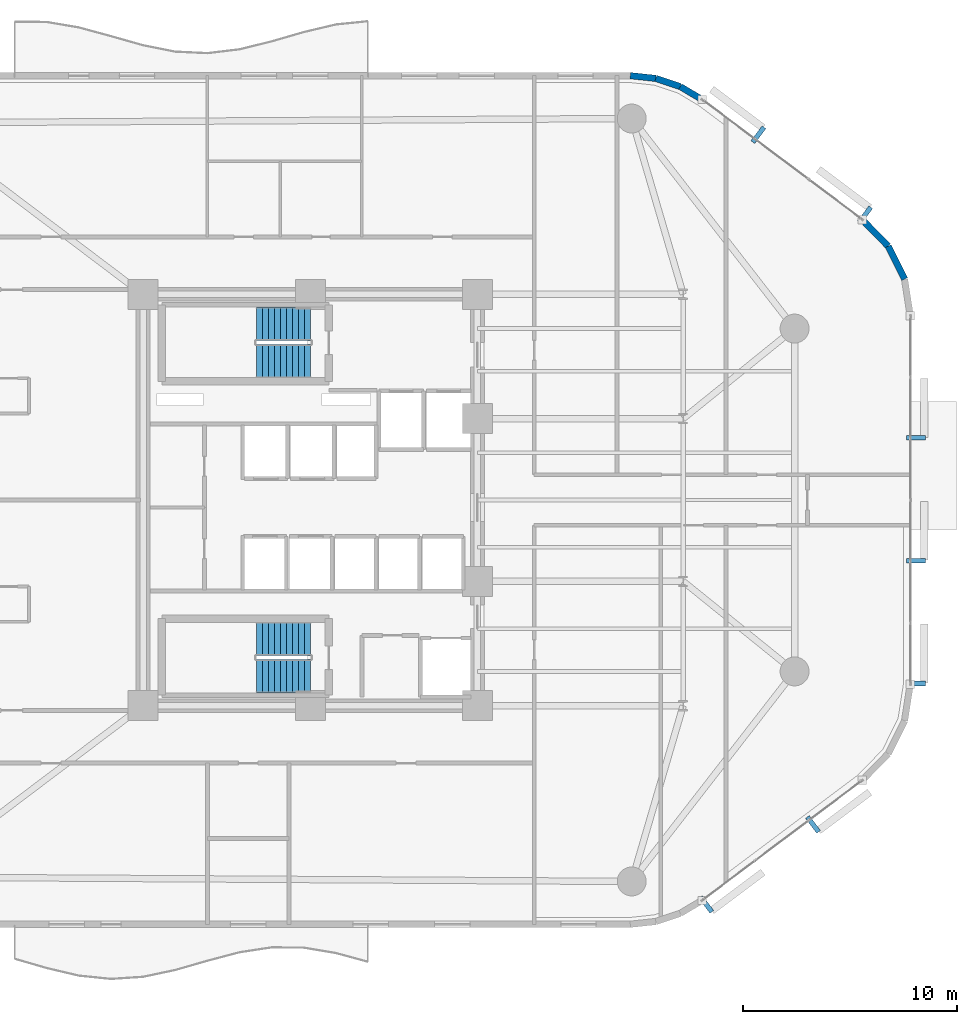
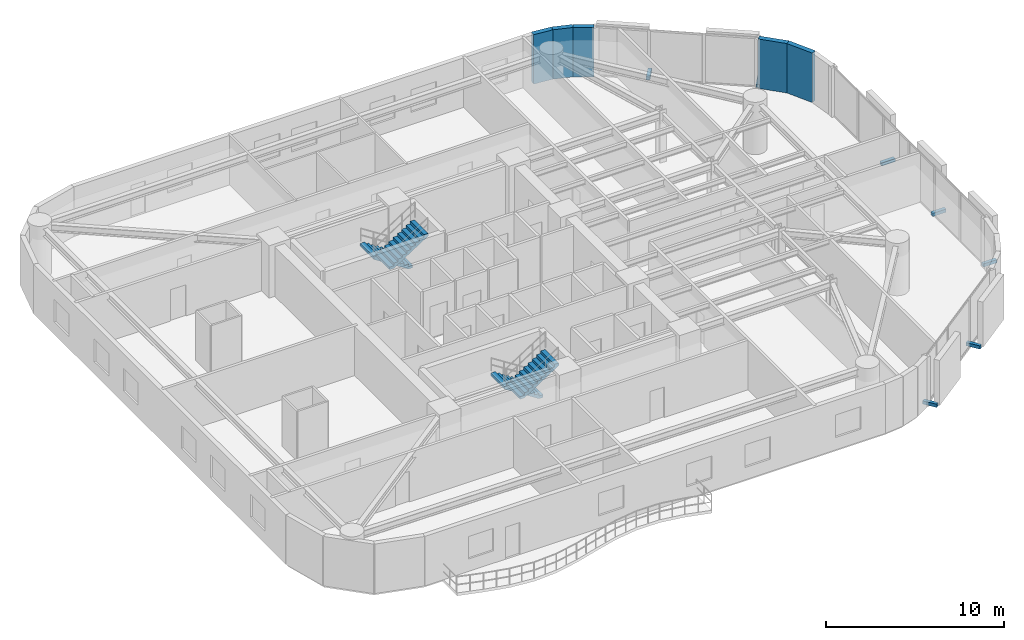
# One storey, part 13 of 16: 7 discrete accessories, 5 walls, 4 stair flights, 2 elements without a shape of their own.
"""IFC4 building model written with IfcOpenShell, lengths in metres."""

from ifc_helpers import new_model, si_unit, direction, frame, frame_2d, origin, origin_2d, place, context, subcontext, project, spatial, polyline, rectangle, outline, extrude, material, layer, layer_set, type_object, element, aggregate, save


model = new_model("IFC4")

# Units and contexts
model_context = context("Model", 3, precision=1e-05, world=origin(), true_north=direction((0.0, 1.0)))
body_context = subcontext(model_context, "Body", "Model", "MODEL_VIEW")
ifc_project = project(units=[si_unit("LENGTHUNIT", "METRE"), si_unit("AREAUNIT", "SQUARE_METRE"), si_unit("VOLUMEUNIT", "CUBIC_METRE"), si_unit("PLANEANGLEUNIT", "RADIAN"), si_unit("MASSUNIT", "GRAM", prefix="KILO")], contexts=[model_context])

# Site, building, storey
site_placement = place(None, origin())
site = spatial("IfcSite", under=ifc_project, at=site_placement, CompositionType="ELEMENT")
building_placement = place(site_placement, origin())
building = spatial("IfcBuilding", under=site, at=building_placement, Name="An Khanh Terracotta Commons", CompositionType="ELEMENT")
storey_placement = place(building_placement, frame((0.0, 0.0, 118.699951171875)))
storey = spatial("IfcBuildingStorey", under=building, at=storey_placement, Name="L31", CompositionType="ELEMENT", Elevation=118.699951171875)

# Walls
ifc_material_1 = material(Name="Precast concrete C40/50", Category="concrete")
ifc_layer = layer(ifc_material_1, 0.300048828125, Name="Precast concrete C40/50")
ifc_layer_set = layer_set([ifc_layer], Name="Precast concrete C40/50")
wall_type = type_object("IfcWallType", Name="WALL-EXT-300", PredefinedType="SOLIDWALL", material=ifc_layer_set)
for number, where, z_axis, x_axis, name in (
    (1, (57.135009765625, 34.303955078125, 0.0), (0.0, 0.0, 1.0), (-0.4472135955, 0.894427191, 0.0), "L31 Insulated Terracotta Exterior Wall 14"),
    (2, (56.364013671875, 35.845947265625, 0.0), (0.0, 0.0, 1.0), (-0.6983450845, 0.715761233201, 0.0), "L31 Insulated Terracotta Exterior Wall 15"),
):
    element("IfcWall", number, at=place(storey_placement, frame(where, z_axis=z_axis, x_axis=x_axis)), inside=storey, type_object=wall_type, Name=name, PredefinedType="SOLIDWALL", context=body_context, shape_type="SweptSolid", body=[
        extrude(rectangle(XDim=1.72412109375, YDim=0.300048828125, at=frame_2d((0.862060546875, 0.0))), origin(), (0.0, 0.0, 1.0), 3.400146484375),
    ])
wall_1_placement = place(storey_placement, frame((47.693115234375, 42.679931640625, 0.0), z_axis=(0.0, 0.0, 1.0), x_axis=(-0.859320591642, 0.511437308749, 0.0)))
element("IfcWall", 3, at=wall_1_placement, inside=storey, type_object=wall_type, Name="L31 Insulated Terracotta Exterior Wall 17", PredefinedType="SOLIDWALL", context=body_context, shape_type="SweptSolid", body=[
    extrude(rectangle(XDim=1.19873046875, YDim=0.300048828125, at=frame_2d((0.599365234375, 0.0))), origin(), (0.0, 0.0, 1.0), 3.400146484375),
])
wall_2_placement = place(storey_placement, frame((46.6630859375, 43.29296875, 0.0), z_axis=(0.0, 0.0, 1.0), x_axis=(-0.948744332129, 0.316044604847, 0.0)))
element("IfcWall", 4, at=wall_2_placement, inside=storey, type_object=wall_type, Name="L31 Insulated Terracotta Exterior Wall 18", PredefinedType="SOLIDWALL", context=body_context, shape_type="SweptSolid", body=[
    extrude(rectangle(XDim=1.19970703125, YDim=0.300048828125, at=frame_2d((0.599853515625, 0.0))), origin(), (0.0, 0.0, 1.0), 3.400146484375),
])
wall_3_placement = place(storey_placement, frame((45.52490234375, 43.672119140625, 0.0), z_axis=(0.0, 0.0, 1.0), x_axis=(-0.994289103787, 0.106720092254, 0.0)))
element("IfcWall", 5, at=wall_3_placement, inside=storey, type_object=wall_type, Name="L31 Insulated Terracotta Exterior Wall 19", PredefinedType="SOLIDWALL", context=body_context, shape_type="SweptSolid", body=[
    extrude(rectangle(XDim=1.19873046875, YDim=0.300048828125, at=frame_2d((0.599365234375, 0.0))), origin(), (0.0, 0.0, 1.0), 3.400146484375),
])

# Stair, stair flights
stair_type = type_object("IfcStairType", Name="STAIR-CORE-1550", PredefinedType="HALF_TURN_STAIR", material=ifc_material_1)
stair_1_placement = place(storey_placement, origin())
stair_1 = element("IfcStair", 6, at=stair_1_placement, inside=storey, type_object=stair_type, Name="L31 Core Smokeproof Exit Stair ST-01", PredefinedType="HALF_TURN_STAIR")
stair_flight_type = type_object("IfcStairFlightType", Name="FLIGHT-CORE-1550", PredefinedType="STRAIGHT", material=ifc_material_1)
stair_flight_1_placement = place(storey_placement, frame((29.409912109375, 32.22509765625, 0.0), z_axis=(0.0, 0.0, 1.0), x_axis=(-1.0, 0.0, 0.0)))
stair_flight_1 = element("IfcStairFlight", 7, at=stair_flight_1_placement, type_object=stair_flight_type, Name="ST-01 flight 1", NumberOfRisers=10, NumberOfTreads=9, PredefinedType="STRAIGHT", RiserHeight=0.18, TreadLength=0.28, context=body_context, shape_type="SweptSolid", body=[
    extrude(outline(polyline([(0.0, 0.0), (0.0, 0.179931640625), (0.280029296875, 0.179931640625), (0.280029296875, 0.360107421875), (0.56005859375, 0.360107421875), (0.56005859375, 0.5400390625), (0.840087890625, 0.5400390625), (0.840087890625, 0.719970703125), (1.1201171875, 0.719970703125), (1.1201171875, 0.89990234375), (1.39990234375, 0.89990234375), (1.39990234375, 1.080078125), (1.679931640625, 1.080078125), (1.679931640625, 1.260009765625), (1.9599609375, 1.260009765625), (1.9599609375, 1.43994140625), (2.239990234375, 1.43994140625), (2.239990234375, 1.6201171875), (2.52001953125, 1.6201171875), (2.52001953125, 1.800048828125), (2.52001953125, 1.44189453125), (0.277099609375, 0.0), (0.0, 0.0)])), frame((0.0, 0.77490234375, 0.0), z_axis=(0.0, -1.0, 0.0), x_axis=(1.0, 0.0, 0.0)), (0.0, 0.0, 1.0), 1.550048828125),
])
stair_flight_2_placement = place(storey_placement, frame((26.889892578125, 30.47509765625, 1.800048828125), z_axis=(0.0, 0.0, 1.0), x_axis=(1.0, 0.0, 0.0)))
stair_flight_2 = element("IfcStairFlight", 8, at=stair_flight_2_placement, type_object=stair_flight_type, Name="ST-01 flight 2", NumberOfRisers=10, NumberOfTreads=9, PredefinedType="STRAIGHT", RiserHeight=0.18, TreadLength=0.28, context=body_context, shape_type="SweptSolid", body=[
    extrude(outline(polyline([(0.0, 0.0), (0.0, 0.179931640625), (0.280029296875, 0.179931640625), (0.280029296875, 0.360107421875), (0.56005859375, 0.360107421875), (0.56005859375, 0.5400390625), (0.840087890625, 0.5400390625), (0.840087890625, 0.719970703125), (1.1201171875, 0.719970703125), (1.1201171875, 0.89990234375), (1.39990234375, 0.89990234375), (1.39990234375, 1.080078125), (1.679931640625, 1.080078125), (1.679931640625, 1.260009765625), (1.9599609375, 1.260009765625), (1.9599609375, 1.43994140625), (2.239990234375, 1.43994140625), (2.239990234375, 1.6201171875), (2.52001953125, 1.6201171875), (2.52001953125, 1.800048828125), (2.52001953125, 1.44189453125), (0.277099609375, 0.0), (0.0, 0.0)])), frame((0.0, 0.77490234375, 0.0), z_axis=(0.0, -1.0, 0.0), x_axis=(1.0, 0.0, 0.0)), (0.0, 0.0, 1.0), 1.550048828125),
])
aggregate(stair_1, [stair_flight_1, stair_flight_2])

stair_2_placement = place(storey_placement, origin())
stair_2 = element("IfcStair", 9, at=stair_2_placement, inside=storey, type_object=stair_type, Name="L31 Core Smokeproof Exit Stair ST-02", PredefinedType="HALF_TURN_STAIR")
stair_flight_3_placement = place(storey_placement, frame((29.409912109375, 17.52490234375, 0.0), z_axis=(0.0, 0.0, 1.0), x_axis=(-1.0, 0.0, 0.0)))
stair_flight_3 = element("IfcStairFlight", 10, at=stair_flight_3_placement, type_object=stair_flight_type, Name="ST-02 flight 1", NumberOfRisers=10, NumberOfTreads=9, PredefinedType="STRAIGHT", RiserHeight=0.18, TreadLength=0.28, context=body_context, shape_type="SweptSolid", body=[
    extrude(outline(polyline([(0.0, 0.0), (0.0, 0.179931640625), (0.280029296875, 0.179931640625), (0.280029296875, 0.360107421875), (0.56005859375, 0.360107421875), (0.56005859375, 0.5400390625), (0.840087890625, 0.5400390625), (0.840087890625, 0.719970703125), (1.1201171875, 0.719970703125), (1.1201171875, 0.89990234375), (1.39990234375, 0.89990234375), (1.39990234375, 1.080078125), (1.679931640625, 1.080078125), (1.679931640625, 1.260009765625), (1.9599609375, 1.260009765625), (1.9599609375, 1.43994140625), (2.239990234375, 1.43994140625), (2.239990234375, 1.6201171875), (2.52001953125, 1.6201171875), (2.52001953125, 1.800048828125), (2.52001953125, 1.44189453125), (0.277099609375, 0.0), (0.0, 0.0)])), frame((0.0, 0.77490234375, 0.0), z_axis=(0.0, -1.0, 0.0), x_axis=(1.0, 0.0, 0.0)), (0.0, 0.0, 1.0), 1.550048828125),
])
stair_flight_4_placement = place(storey_placement, frame((26.889892578125, 15.77490234375, 1.800048828125), z_axis=(0.0, 0.0, 1.0), x_axis=(1.0, 0.0, 0.0)))
stair_flight_4 = element("IfcStairFlight", 11, at=stair_flight_4_placement, type_object=stair_flight_type, Name="ST-02 flight 2", NumberOfRisers=10, NumberOfTreads=9, PredefinedType="STRAIGHT", RiserHeight=0.18, TreadLength=0.28, context=body_context, shape_type="SweptSolid", body=[
    extrude(outline(polyline([(0.0, 0.0), (0.0, 0.179931640625), (0.280029296875, 0.179931640625), (0.280029296875, 0.360107421875), (0.56005859375, 0.360107421875), (0.56005859375, 0.5400390625), (0.840087890625, 0.5400390625), (0.840087890625, 0.719970703125), (1.1201171875, 0.719970703125), (1.1201171875, 0.89990234375), (1.39990234375, 0.89990234375), (1.39990234375, 1.080078125), (1.679931640625, 1.080078125), (1.679931640625, 1.260009765625), (1.9599609375, 1.260009765625), (1.9599609375, 1.43994140625), (2.239990234375, 1.43994140625), (2.239990234375, 1.6201171875), (2.52001953125, 1.6201171875), (2.52001953125, 1.800048828125), (2.52001953125, 1.44189453125), (0.277099609375, 0.0), (0.0, 0.0)])), frame((0.0, 0.77490234375, 0.0), z_axis=(0.0, -1.0, 0.0), x_axis=(1.0, 0.0, 0.0)), (0.0, 0.0, 1.0), 1.550048828125),
])
aggregate(stair_2, [stair_flight_3, stair_flight_4])

# Discrete accessories
ifc_material_2 = material(Name="Stainless Steel Grade 316L", Category="steel")
discrete_accessory_type = type_object("IfcDiscreteAccessoryType", Name="Stainless Outrigger Facade Bracket", PredefinedType="BRACKET", material=ifc_material_2)
for number, where, z_axis, x_axis, name in (
    (12, (47.8798828125, 5.12890625, 0.06982421875), (0.0, 0.0, 1.0), (0.800012856594, 0.599982857492, 0.0), "L31 Terracotta Screen Outrigger Bracket 1"),
    (13, (52.85791015625, 8.862060546875, 0.06982421875), (0.0, 0.0, 1.0), (0.800012856594, 0.599982857492, 0.0), "L31 Terracotta Screen Outrigger Bracket 3"),
    (14, (57.6650390625, 15.43505859375, 0.06982421875), (0.0, 0.0, 1.0), (0.0, 1.0, 0.0), "L31 Terracotta Screen Outrigger Bracket 1"),
    (15, (57.6650390625, 21.16796875, 0.06982421875), (0.0, 0.0, 1.0), (0.0, 1.0, 0.0), "L31 Terracotta Screen Outrigger Bracket 3"),
    (16, (57.6650390625, 26.902099609375, 0.06982421875), (0.0, 0.0, 1.0), (0.0, 1.0, 0.0), "L31 Terracotta Screen Outrigger Bracket 5"),
    (17, (55.291015625, 37.31298828125, 0.06982421875), (0.0, 0.0, 1.0), (-0.800012856594, 0.599982857492, 0.0), "L31 Terracotta Screen Outrigger Bracket 1"),
    (18, (50.31298828125, 41.0458984375, 0.06982421875), (0.0, 0.0, 1.0), (-0.800012856594, 0.599982857492, 0.0), "L31 Terracotta Screen Outrigger Bracket 3"),
):
    element("IfcDiscreteAccessory", number, at=place(storey_placement, frame(where, z_axis=z_axis, x_axis=x_axis)), inside=storey, type_object=discrete_accessory_type, Name=name, PredefinedType="BRACKET", context=body_context, shape_type="SweptSolid", body=[
        extrude(rectangle(XDim=0.219970703125, YDim=0.8701171875, at=origin_2d()), origin(), (0.0, 0.0, 1.0), 0.219970703125),
    ])

save(model, "model.ifc")
